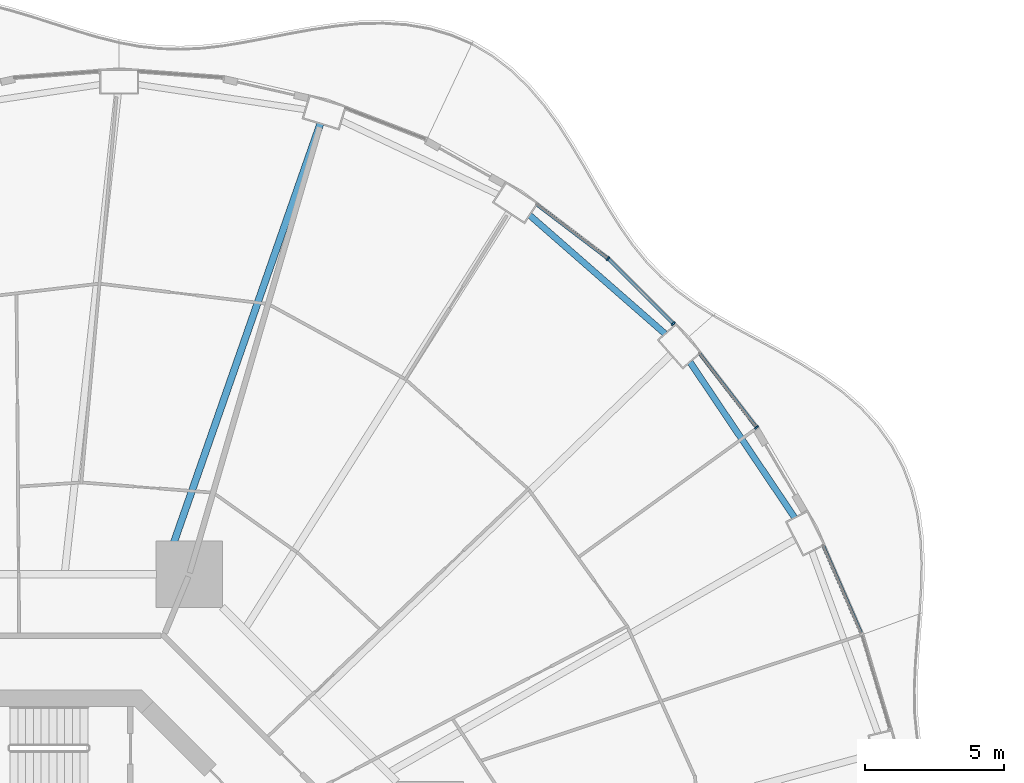
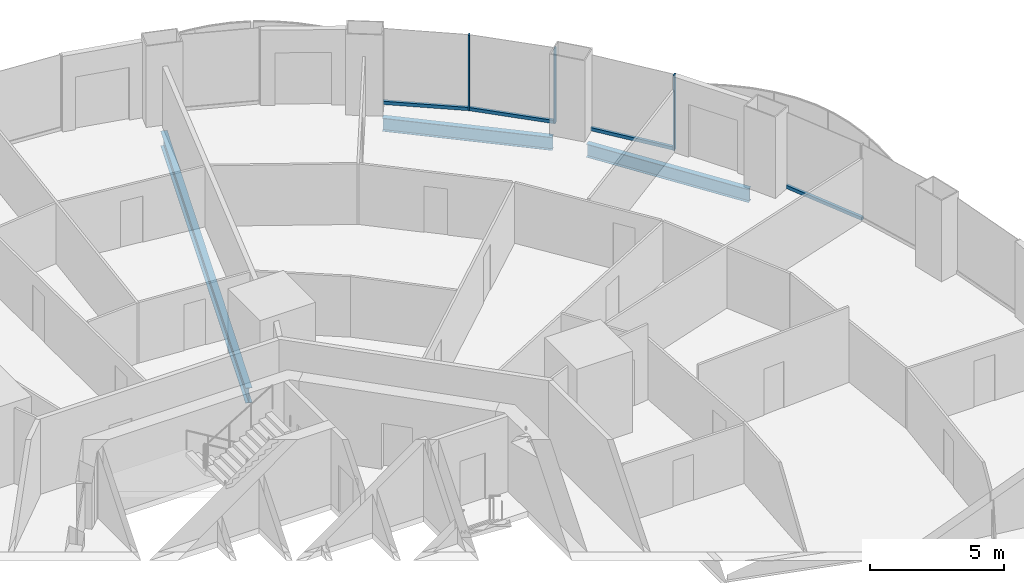
# One storey, part 10 of 22: 7 members, 3 beams, 4 elements without a shape of their own.
"""IFC4 building model written with IfcOpenShell, lengths in metres."""

from ifc_helpers import new_model, si_unit, direction, frame, origin, origin_2d, place, context, subcontext, project, spatial, rectangle, i_section, extrude, material, layer, layer_set, material_profile, profile_set, type_object, element, aggregate, save


model = new_model("IFC4")

# Units and contexts
model_context = context("Model", 3, precision=1e-05, world=origin(), true_north=direction((0.0, 1.0)))
body_context = subcontext(model_context, "Body", "Model", "MODEL_VIEW")
ifc_project = project(units=[si_unit("LENGTHUNIT", "METRE"), si_unit("AREAUNIT", "SQUARE_METRE"), si_unit("VOLUMEUNIT", "CUBIC_METRE"), si_unit("PLANEANGLEUNIT", "RADIAN"), si_unit("MASSUNIT", "GRAM", prefix="KILO")], contexts=[model_context])

# Site, building, storey
site_placement = place(None, origin())
site = spatial("IfcSite", under=ifc_project, at=site_placement, CompositionType="ELEMENT")
building_placement = place(site_placement, origin())
building = spatial("IfcBuilding", under=site, at=building_placement, Name="Nagisa Residences", CompositionType="ELEMENT")
storey_placement = place(building_placement, frame((0.0, 0.0, 34.39990234375)))
storey = spatial("IfcBuildingStorey", under=building, at=storey_placement, Name="L07", CompositionType="ELEMENT", Elevation=34.39990234375)

# Curtain wall, member
ifc_material_1 = material(Name="Concrete-coloured aluminium curtain wall system", Category="concrete")
ifc_layer = layer(ifc_material_1, 0.159912109375)
ifc_layer_set = layer_set([ifc_layer], Name="CW1 CURTAIN WALL")
curtain_wall_type = type_object("IfcCurtainWallType", Name="CW1 CURTAIN WALL", PredefinedType="NOTDEFINED", material=ifc_layer_set)
curtain_wall_1_placement = place(storey_placement, origin())
curtain_wall_1 = element("IfcCurtainWall", 1, at=curtain_wall_1_placement, inside=storey, type_object=curtain_wall_type, Name="cw:CW1:L07:05", PredefinedType="NOTDEFINED")
ifc_material_2 = material(Name="Concrete-coloured aluminium", Category="concrete")
ifc_material_profile_1 = material_profile(ifc_material_2, rectangle(XDim=0.159912109375, YDim=0.06005859375, at=origin_2d()), Name="CW1 MULLION 160x60")
ifc_profile_set_1 = profile_set([ifc_material_profile_1], Name="Concrete-coloured aluminium")
member_type_1 = type_object("IfcMemberType", Name="CW1 MULLION 160x60", PredefinedType="MULLION", material=ifc_profile_set_1)
member_1_placement = place(storey_placement, frame((26.525634765625, 20.06396484375, 0.0), z_axis=(0.0, 0.0, 1.0), x_axis=(-0.792070340816, -0.610429828235, 0.0)))
member_1 = element("IfcMember", 2, at=member_1_placement, type_object=member_type_1, Name="CW1 mullion", PredefinedType="MULLION", context=body_context, shape_type="SweptSolid", body=[
    extrude(rectangle(XDim=0.159912109375, YDim=0.06005859375, at=origin_2d()), origin(), (0.0, 0.0, 1.0), 3.440185546875),
])

curtain_wall_2_placement = place(storey_placement, origin())
curtain_wall_2 = element("IfcCurtainWall", 3, at=curtain_wall_2_placement, inside=storey, type_object=curtain_wall_type, Name="cw:CW1:L07:06", PredefinedType="NOTDEFINED")
member_2_placement = place(storey_placement, frame((23.532958984375, 23.79345703125, 0.0), z_axis=(0.0, 0.0, 1.0), x_axis=(-0.706376885714, -0.707835924016, 0.0)))
member_2 = element("IfcMember", 4, at=member_2_placement, type_object=member_type_1, Name="CW1 mullion", PredefinedType="MULLION", context=body_context, shape_type="SweptSolid", body=[
    extrude(rectangle(XDim=0.159912109375, YDim=0.06005859375, at=origin_2d()), origin(), (0.0, 0.0, 1.0), 3.440185546875),
])

curtain_wall_3_placement = place(storey_placement, origin())
curtain_wall_3 = element("IfcCurtainWall", 5, at=curtain_wall_3_placement, inside=storey, type_object=curtain_wall_type, Name="cw:CW1:L07:07", PredefinedType="NOTDEFINED")
member_3_placement = place(storey_placement, frame((21.181884765625, 26.13525390625, 0.0), z_axis=(0.0, 0.0, 1.0), x_axis=(-0.605255421737, -0.79603132756, 0.0)))
member_3 = element("IfcMember", 6, at=member_3_placement, type_object=member_type_1, Name="CW1 mullion", PredefinedType="MULLION", context=body_context, shape_type="SweptSolid", body=[
    extrude(rectangle(XDim=0.159912109375, YDim=0.06005859375, at=origin_2d()), origin(), (0.0, 0.0, 1.0), 3.440185546875),
])

curtain_wall_4_placement = place(storey_placement, origin())
curtain_wall_4 = element("IfcCurtainWall", 7, at=curtain_wall_4_placement, inside=storey, type_object=curtain_wall_type, Name="cw:CW1:L07:03", PredefinedType="NOTDEFINED")
ifc_material_3 = material(Name="Concrete-coloured aluminium", Category="concrete")
ifc_material_profile_2 = material_profile(ifc_material_3, rectangle(XDim=0.1201171875, YDim=0.14990234375, at=origin_2d()), Name="CW1 TRANSOM 120x150")
ifc_profile_set_2 = profile_set([ifc_material_profile_2], Name="Concrete-coloured aluminium")
member_type_2 = type_object("IfcMemberType", Name="CW1 TRANSOM 120x150", PredefinedType="USERDEFINED", material=ifc_profile_set_2)
member_4_placement = place(storey_placement, frame((30.319091796875, 12.5966796875, 0.0751953125), z_axis=(-0.397624958345, 0.917548032803, 0.0), x_axis=(-0.917548032803, -0.397624958345, 0.0)))
member_4 = element("IfcMember", 8, at=member_4_placement, type_object=member_type_2, Name="CW1 transom", ObjectType="TRANSOM", PredefinedType="USERDEFINED", context=body_context, shape_type="SweptSolid", body=[
    extrude(rectangle(XDim=0.1201171875, YDim=0.14990234375, at=origin_2d()), origin(), (0.0, 0.0, 1.0), 3.51953125),
])
aggregate(curtain_wall_4, [member_4])

# Member
member_5_placement = place(storey_placement, frame((26.5439453125, 20.040283203125, 0.0751953125), z_axis=(-0.610457147657, 0.792049285635, 0.0), x_axis=(-0.792049285635, -0.610457147657, 0.0)))
member_5 = element("IfcMember", 9, at=member_5_placement, type_object=member_type_2, Name="CW1 transom", ObjectType="TRANSOM", PredefinedType="USERDEFINED", context=body_context, shape_type="SweptSolid", body=[
    extrude(rectangle(XDim=0.1201171875, YDim=0.14990234375, at=origin_2d()), origin(), (0.0, 0.0, 1.0), 3.3974609375),
])

aggregate(curtain_wall_1, [member_1, member_5])

member_6_placement = place(storey_placement, frame((23.55419921875, 23.7724609375, 0.0751953125), z_axis=(-0.707876350734, 0.706336373176, 0.0), x_axis=(-0.706336373176, -0.707876350734, 0.0)))
member_6 = element("IfcMember", 10, at=member_6_placement, type_object=member_type_2, Name="CW1 transom", ObjectType="TRANSOM", PredefinedType="USERDEFINED", context=body_context, shape_type="SweptSolid", body=[
    extrude(rectangle(XDim=0.1201171875, YDim=0.14990234375, at=origin_2d()), origin(), (0.0, 0.0, 1.0), 3.329345703125),
])

aggregate(curtain_wall_2, [member_2, member_6])

member_7_placement = place(storey_placement, frame((21.20556640625, 26.116943359375, 0.0751953125), z_axis=(-0.79599487499, 0.605303361125, 0.0), x_axis=(-0.605303361125, -0.79599487499, 0.0)))
member_7 = element("IfcMember", 11, at=member_7_placement, type_object=member_type_2, Name="CW1 transom", ObjectType="TRANSOM", PredefinedType="USERDEFINED", context=body_context, shape_type="SweptSolid", body=[
    extrude(rectangle(XDim=0.1201171875, YDim=0.14990234375, at=origin_2d()), origin(), (0.0, 0.0, 1.0), 3.26220703125),
])

aggregate(curtain_wall_3, [member_3, member_7])

# Beams
ifc_material_4 = material(Name="Steel ASTM A572 Gr 50", Category="steel")
ifc_material_profile_3 = material_profile(ifc_material_4, i_section(OverallWidth=0.22802734375, OverallDepth=0.60302734375, WebThickness=0.010498046875, FlangeThickness=0.014892578125, at=origin_2d()), Name="W610x101")
ifc_profile_set_3 = profile_set([ifc_material_profile_3], Name="Steel ASTM A572 Gr 50")
beam_type_1 = type_object("IfcBeamType", Name="Perimeter ring beam W610x101", PredefinedType="BEAM", material=ifc_profile_set_3)
beam_1_placement = place(storey_placement, frame((27.899169921875, 16.818603515625, -0.5615234375), z_axis=(-0.558271879663, 0.829658067144, 0.0), x_axis=(-0.829658067144, -0.558271879663, 0.0)))
element("IfcBeam", 12, at=beam_1_placement, inside=storey, type_object=beam_type_1, Name="beam:L07:pb03", PredefinedType="BEAM", context=body_context, shape_type="SweptSolid", body=[
    extrude(i_section(OverallWidth=0.22802734375, OverallDepth=0.60302734375, WebThickness=0.010498046875, FlangeThickness=0.014892578125, at=origin_2d()), origin(), (0.0, 0.0, 1.0), 6.74169921875),
])
beam_2_placement = place(storey_placement, frame((23.236328125, 23.432861328125, -0.5615234375), z_axis=(-0.7525907186, 0.658488580217, 0.0), x_axis=(-0.658488580217, -0.7525907186, 0.0)))
element("IfcBeam", 13, at=beam_2_placement, inside=storey, type_object=beam_type_1, Name="beam:L07:pb04", PredefinedType="BEAM", context=body_context, shape_type="SweptSolid", body=[
    extrude(i_section(OverallWidth=0.22802734375, OverallDepth=0.60302734375, WebThickness=0.010498046875, FlangeThickness=0.014892578125, at=origin_2d()), origin(), (0.0, 0.0, 1.0), 6.470458984375),
])
ifc_material_5 = material(Name="Steel ASTM A572 Gr 50", Category="steel")
ifc_material_profile_4 = material_profile(ifc_material_5, i_section(OverallWidth=0.25390625, OverallDepth=0.68408203125, WebThickness=0.012451171875, FlangeThickness=0.018798828125, at=origin_2d()), Name="W690x140")
ifc_profile_set_4 = profile_set([ifc_material_profile_4], Name="Steel ASTM A572 Gr 50")
beam_type_2 = type_object("IfcBeamType", Name="Radial beam W690x140", PredefinedType="BEAM", material=ifc_profile_set_4)
beam_3_placement = place(storey_placement, frame((10.834228515625, 30.986328125, -0.601806640625), z_axis=(-0.330051195485, -0.943963033364, 0.0), x_axis=(0.943963033364, -0.330051195485, 0.0)))
element("IfcBeam", 14, at=beam_3_placement, inside=storey, type_object=beam_type_2, Name="beam:L07:rb06", PredefinedType="BEAM", context=body_context, shape_type="SweptSolid", body=[
    extrude(i_section(OverallWidth=0.25390625, OverallDepth=0.68408203125, WebThickness=0.012451171875, FlangeThickness=0.018798828125, at=origin_2d()), origin(), (0.0, 0.0, 1.0), 17.045654296875),
])

save(model, "model.ifc")
